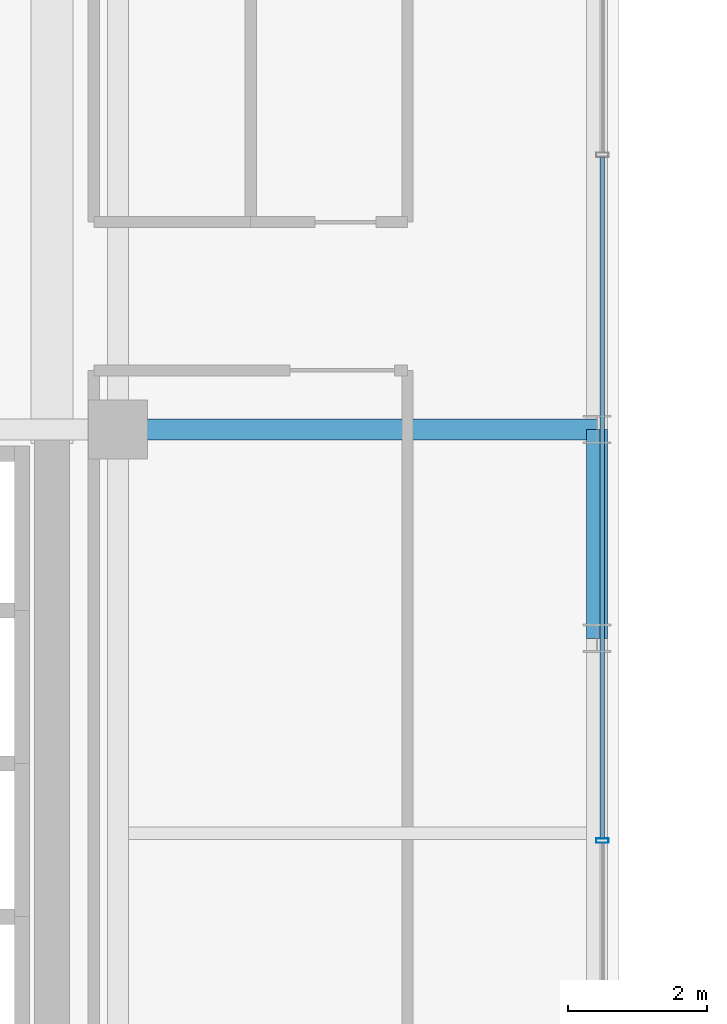
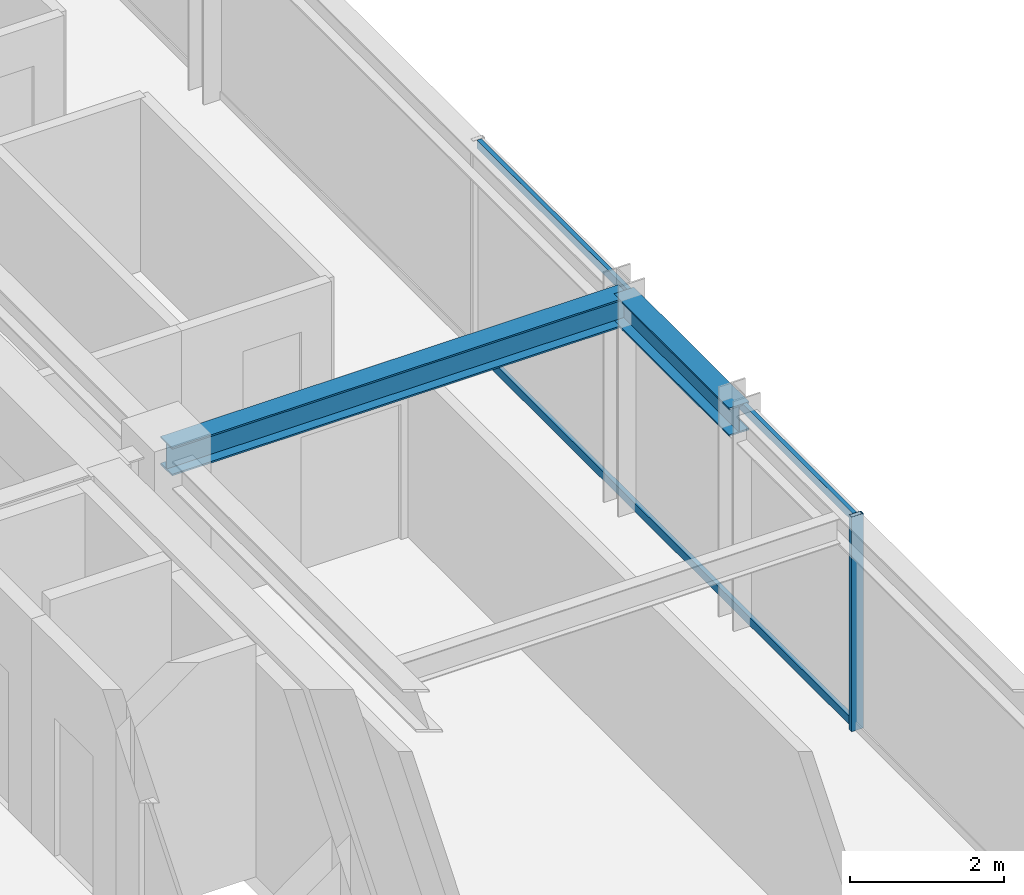
# One storey, part 15 of 34: 3 members, 2 beams, 1 element without a shape of its own.
"""IFC4 building model written with IfcOpenShell, lengths in metres."""

import ifcopenshell
import ifcopenshell.guid

model = None  # the IFC model being written
_history = None  # IfcOwnerHistory: only IFC2X3 demands one
_inside = {}  # id of a spatial element -> (the spatial element, [elements in it])
_under = {}  # id of a project, library or spatial element -> (it, [spatial elements below it])
_declared = {}  # id of a project -> (the project, [libraries it declares])
_typed = {}  # id of a type object -> (the type object, [elements of that type])
_made_of = {}  # id of a material, layer set ... -> (it, [elements and type objects made of it])


def new_model(schema):
    """Start an empty IFC model of exactly this schema.

    Asked for "IFC4X3", IfcOpenShell would pick the latest addendum, in which some entities
    have other attributes; the version numbers below select the first issue.
    IFC2X3 requires an IfcOwnerHistory on every rooted entity: one is made here for all.
    """
    global model, _history
    if schema == "IFC4X3":
        model = ifcopenshell.file(schema_version=(4, 3, 0, 0))
    else:
        model = ifcopenshell.file(schema=schema)
    _inside.clear()
    _under.clear()
    _declared.clear()
    _typed.clear()
    _made_of.clear()
    _history = None
    if model.schema == "IFC2X3":
        org = make("IfcOrganization", Name="unknown")
        user = make(
            "IfcPersonAndOrganization",
            ThePerson=make("IfcPerson", FamilyName="unknown"),
            TheOrganization=org,
        )
        app = make(
            "IfcApplication",
            ApplicationDeveloper=org,
            Version="unknown",
            ApplicationFullName="unknown",
            ApplicationIdentifier="unknown",
        )
        _history = make(
            "IfcOwnerHistory",
            OwningUser=user,
            OwningApplication=app,
            ChangeAction="ADDED",
            CreationDate=0,
        )
    return model


def make(cls, **values):
    """One entity of the class cls with the attributes given. An attribute that is None is left unset."""
    return model.create_entity(
        cls, **{name: value for name, value in values.items() if value is not None}
    )


def rooted(cls, **values):
    """An entity with a GlobalId (a new one), such as an element, a storey or a relation."""
    return make(cls, GlobalId=ifcopenshell.guid.new(), OwnerHistory=_history, **values)


def si_unit(unit_type, name, prefix=None):
    """IfcSIUnit, for example si_unit("LENGTHUNIT", "METRE", prefix="MILLI")."""
    return make("IfcSIUnit", UnitType=unit_type, Prefix=prefix, Name=name)


def assignment(units):
    """IfcUnitAssignment: the units of a project."""
    return None if units is None else make("IfcUnitAssignment", Units=units)


def point(xyz):
    """IfcCartesianPoint."""
    return None if xyz is None else make("IfcCartesianPoint", Coordinates=xyz)


def direction(xyz):
    """IfcDirection."""
    return None if xyz is None else make("IfcDirection", DirectionRatios=xyz)


def frame(location, z_axis=None, x_axis=None):
    """IfcAxis2Placement3D, a coordinate frame: its origin and axes. An axis left out is left unset."""
    return make(
        "IfcAxis2Placement3D",
        Location=point(location),
        Axis=direction(z_axis),
        RefDirection=direction(x_axis),
    )


def frame_2d(location, x_axis=None):
    """IfcAxis2Placement2D, a coordinate frame in the plane: its origin and x axis."""
    return make(
        "IfcAxis2Placement2D", Location=point(location), RefDirection=direction(x_axis)
    )


def origin():
    """The frame at (0, 0, 0) with its axes left unset."""
    return frame((0.0, 0.0, 0.0))


def origin_2d():
    """The frame at (0, 0) in the plane with its x axis left unset."""
    return frame_2d((0.0, 0.0))


def place(relative_to, where):
    """IfcLocalPlacement: puts the frame where relative to a parent placement (None: the world)."""
    return make(
        "IfcLocalPlacement", PlacementRelTo=relative_to, RelativePlacement=where
    )


def context(
    kind, dimensions, precision=None, world=None, true_north=None, identifier=None
):
    """IfcGeometricRepresentationContext, for example the 3D "Model" context."""
    return make(
        "IfcGeometricRepresentationContext",
        ContextIdentifier=identifier,
        ContextType=kind,
        CoordinateSpaceDimension=dimensions,
        Precision=precision,
        WorldCoordinateSystem=world,
        TrueNorth=true_north,
    )


def subcontext(parent, identifier, kind, view, scale=None):
    """IfcGeometricRepresentationSubContext, for example "Body" below "Model"."""
    return make(
        "IfcGeometricRepresentationSubContext",
        ContextIdentifier=identifier,
        ContextType=kind,
        ParentContext=parent,
        TargetScale=scale,
        TargetView=view,
    )


def project(units=None, contexts=None):
    """IfcProject with its units and contexts."""
    return rooted(
        "IfcProject",
        Name="project",
        RepresentationContexts=contexts,
        UnitsInContext=assignment(units),
    )


def spatial(cls, under=None, at=None, **own):
    """A site, building, storey or space (cls), placed at a placement, below another one or the project."""
    s = rooted(cls, ObjectPlacement=at, **own)
    if under is not None:
        _under.setdefault(under.id(), (under, []))[1].append(s)
    return s


def profile(cls, at=None, kind="AREA", **sizes):
    """A parametric profile (cls). Its sizes go by their IFC names, for example OverallWidth=200.0."""
    return make(cls, ProfileType=kind, Position=at, **sizes)


def hollow_rectangle(**sizes):
    """IfcRectangleHollowProfileDef."""
    return profile("IfcRectangleHollowProfileDef", **sizes)


def i_section(**sizes):
    """IfcIShapeProfileDef."""
    return profile("IfcIShapeProfileDef", **sizes)


def extrude(swept, where, along, depth):
    """IfcExtrudedAreaSolid: the profile swept, set in the frame where, extruded along a direction by depth."""
    return make(
        "IfcExtrudedAreaSolid",
        SweptArea=swept,
        Position=where,
        ExtrudedDirection=direction(along),
        Depth=depth,
    )


def shape(context_of_items, identifier, shape_type, items):
    """IfcShapeRepresentation: the items that make up one representation, for example the "Body"."""
    return make(
        "IfcShapeRepresentation",
        ContextOfItems=context_of_items,
        RepresentationIdentifier=identifier,
        RepresentationType=shape_type,
        Items=items,
    )


def source(mapping_origin, context_of_items, identifier, shape_type, items):
    """IfcRepresentationMap: a shape defined once, which mapped items show again and again."""
    return make(
        "IfcRepresentationMap",
        MappingOrigin=mapping_origin,
        MappedRepresentation=shape(context_of_items, identifier, shape_type, items),
    )


def transform(
    local_origin,
    x_axis=None,
    y_axis=None,
    z_axis=None,
    scale=None,
    scale2=None,
    scale3=None,
    uniform=True,
):
    """IfcCartesianTransformationOperator3D, or its non-uniform kind. x_axis, y_axis, z_axis: its Axis1, 2, 3."""
    if uniform:
        return make(
            "IfcCartesianTransformationOperator3D",
            Axis1=direction(x_axis),
            Axis2=direction(y_axis),
            LocalOrigin=point(local_origin),
            Scale=scale,
            Axis3=direction(z_axis),
        )
    return make(
        "IfcCartesianTransformationOperator3DnonUniform",
        Axis1=direction(x_axis),
        Axis2=direction(y_axis),
        LocalOrigin=point(local_origin),
        Scale=scale,
        Axis3=direction(z_axis),
        Scale2=scale2,
        Scale3=scale3,
    )


def mapped(mapping_source, mapping_target):
    """IfcMappedItem: shows the shape of a source again, moved by a transform."""
    return make(
        "IfcMappedItem", MappingSource=mapping_source, MappingTarget=mapping_target
    )


def material(Name=None, Category=None):
    """IfcMaterial."""
    return make("IfcMaterial", Name=Name, Category=Category)


def material_profile(
    of_material, cross_section, Name=None, Category=None, Priority=None
):
    """IfcMaterialProfile: a cross section and its material."""
    return make(
        "IfcMaterialProfile",
        Name=Name,
        Material=of_material,
        Profile=cross_section,
        Priority=Priority,
        Category=Category,
    )


def profile_set(profiles, Name=None, composite=None):
    """IfcMaterialProfileSet."""
    return make(
        "IfcMaterialProfileSet",
        Name=Name,
        MaterialProfiles=profiles,
        CompositeProfile=composite,
    )


def made_of(thing, what):
    """Note that an element or type object is made of a material, layer set ...; save() writes the relation."""
    if what is not None:
        _made_of.setdefault(what.id(), (what, []))[1].append(thing)
    return thing


def type_object(cls, material=None, **own):
    """A type object (cls), such as IfcWallType, which elements share."""
    return made_of(rooted(cls, **own), material)


def element(
    cls,
    number,
    at=None,
    inside=None,
    cuts=None,
    type_object=None,
    material=None,
    context=None,
    identifier="Body",
    shape_type=None,
    held_by="IfcProductDefinitionShape",
    body=None,
    shapes=None,
    **own,
):
    """One element of the class cls, such as IfcWall. Its Tag is "e" and its number.

    at: its placement. inside: the storey or other place that contains it. cuts: it is an
    opening in that element (IfcRelVoidsElement). A single representation is given by context,
    identifier, shape_type and body (its items); several are given by shapes. held_by: the class
    of the entity that holds the representations. save() writes the other relations.
    """
    e = rooted(cls, Tag="e%d" % number, ObjectPlacement=at, **own)
    if body is not None:
        shapes = [shape(context, identifier, shape_type, body)]
    if shapes is not None:
        e.Representation = make(held_by, Representations=shapes)
    if inside is not None:
        _inside.setdefault(inside.id(), (inside, []))[1].append(e)
    if cuts is not None:
        rooted(
            "IfcRelVoidsElement", RelatingBuildingElement=cuts, RelatedOpeningElement=e
        )
    if type_object is not None:
        _typed.setdefault(type_object.id(), (type_object, []))[1].append(e)
    return made_of(e, material)


def aggregate(whole, parts):
    """IfcRelAggregates: a whole, such as a stair, and the parts it consists of."""
    return rooted("IfcRelAggregates", RelatingObject=whole, RelatedObjects=parts)


def save(model, path):
    """Write the relations noted so far, then the file.

    IfcRelAggregates (storeys below a building ...), IfcRelContainedInSpatialStructure (elements
    in a storey), IfcRelDefinesByType, IfcRelAssociatesMaterial and IfcRelDeclares: one each for
    every whole, place, type object, material and project.
    """
    for whole, parts in _under.values():
        aggregate(whole, parts)
    for where, things in _inside.values():
        rooted(
            "IfcRelContainedInSpatialStructure",
            RelatedElements=things,
            RelatingStructure=where,
        )
    for kind, things in _typed.values():
        rooted("IfcRelDefinesByType", RelatedObjects=things, RelatingType=kind)
    for what, things in _made_of.values():
        rooted("IfcRelAssociatesMaterial", RelatedObjects=things, RelatingMaterial=what)
    for by, libraries in _declared.values():
        rooted("IfcRelDeclares", RelatingContext=by, RelatedDefinitions=libraries)
    model.write(path)


model = new_model("IFC4")

# Units and contexts
model_context = context("Model", 3, precision=1e-05, world=origin(), true_north=direction((0.0, 1.0)))
body_context = subcontext(model_context, "Body", "Model", "MODEL_VIEW")
ifc_project = project(units=[si_unit("LENGTHUNIT", "METRE"), si_unit("AREAUNIT", "SQUARE_METRE"), si_unit("VOLUMEUNIT", "CUBIC_METRE"), si_unit("PLANEANGLEUNIT", "RADIAN"), si_unit("MASSUNIT", "GRAM", prefix="KILO")], contexts=[model_context])

# Site, building, storey
site_placement = place(None, origin())
site = spatial("IfcSite", under=ifc_project, at=site_placement, CompositionType="ELEMENT")
building_placement = place(site_placement, origin())
building = spatial("IfcBuilding", under=site, at=building_placement, Name="Nahalor Promenade Grand Hotel", CompositionType="ELEMENT")
storey_placement = place(building_placement, frame((0.0, 0.0, 238.199951171875)))
storey = spatial("IfcBuildingStorey", under=building, at=storey_placement, Name="L61", CompositionType="ELEMENT", Elevation=238.199951171875)

# Beams
ifc_material_1 = material(Name="Steel S355JR", Category="steel")
ifc_material_profile_1 = material_profile(ifc_material_1, i_section(OverallWidth=0.3, OverallDepth=0.45, WebThickness=0.014, FlangeThickness=0.026, at=origin_2d()), Name="HEB 450")
ifc_profile_set_1 = profile_set([ifc_material_profile_1], Name="Steel S355JR")
beam_type_1 = type_object("IfcBeamType", Name="Beam-Spandrel-HEB450", PredefinedType="SPANDREL", material=ifc_profile_set_1)
shared_shape_1 = source(origin(), body_context, "Body", "SweptSolid", [
    extrude(i_section(OverallWidth=0.3, OverallDepth=0.45, WebThickness=0.014, FlangeThickness=0.026, at=origin_2d()), origin(), (0.0, 0.0, 1.0), 3.0),
])
beam_1_placement = place(storey_placement, frame((23.8798828125, -8.39990234375, 3.18505859375), z_axis=(0.0, 1.0, 0.0), x_axis=(-1.0, 0.0, 0.0)))
element("IfcBeam", 1, at=beam_1_placement, inside=storey, type_object=beam_type_1, Name="BM-L61-SP-E-1", PredefinedType="SPANDREL", context=body_context, shape_type="MappedRepresentation", body=[
    mapped(shared_shape_1, transform((0.0, 0.0, 0.0), scale=1.0)),
])
ifc_material_profile_2 = material_profile(ifc_material_1, i_section(OverallWidth=0.3, OverallDepth=0.45, WebThickness=0.014, FlangeThickness=0.026, at=origin_2d()), Name="HEB 450")
ifc_profile_set_2 = profile_set([ifc_material_profile_2], Name="Steel S355JR")
beam_type_2 = type_object("IfcBeamType", Name="Beam-Girder-HEB450", PredefinedType="BEAM", material=ifc_profile_set_2)
shared_shape_2 = source(origin(), body_context, "Body", "SweptSolid", [
    extrude(i_section(OverallWidth=0.3, OverallDepth=0.45, WebThickness=0.014, FlangeThickness=0.026, at=origin_2d()), origin(), (0.0, 0.0, 1.0), 6.8798828125),
])
beam_2_placement = place(storey_placement, frame((17.0, -5.39990234375, 3.18505859375), z_axis=(1.0, 0.0, 0.0), x_axis=(0.0, 1.0, 0.0)))
element("IfcBeam", 2, at=beam_2_placement, inside=storey, type_object=beam_type_2, Name="BM-L61-GX-1-6", PredefinedType="BEAM", context=body_context, shape_type="MappedRepresentation", body=[
    mapped(shared_shape_2, transform((0.0, 0.0, 0.0), scale=1.0)),
])

# Curtain wall, members
ifc_material_2 = material(Name="Anodised Bronze Aluminium EN AW-6063 T6", Category="aluminium")
curtain_wall_type = type_object("IfcCurtainWallType", Name="CW2 Typical Hotel Flush Bronze Unitised Curtain Wall", PredefinedType="USERDEFINED", material=ifc_material_2)
curtain_wall_placement = place(storey_placement, origin())
curtain_wall = element("IfcCurtainWall", 3, at=curtain_wall_placement, inside=storey, type_object=curtain_wall_type, Name="L61 Curtain Wall CW-L61-E-1", ObjectType="UNITISED_CURTAIN_WALL", PredefinedType="USERDEFINED")
ifc_material_profile_3 = material_profile(ifc_material_2, hollow_rectangle(XDim=0.065, YDim=0.18, WallThickness=0.004, at=origin_2d()), Name="CWM 65x180x4")
ifc_profile_set_3 = profile_set([ifc_material_profile_3], Name="Anodised Bronze Aluminium EN AW-6063 T6")
member_type_1 = type_object("IfcMemberType", Name="CWM2 Typical Bronze Mullion 65x180", PredefinedType="MULLION", material=ifc_profile_set_3)
shared_shape_3 = source(origin(), body_context, "Body", "SweptSolid", [
    extrude(hollow_rectangle(XDim=0.065, YDim=0.18, WallThickness=0.004, at=origin_2d()), origin(), (0.0, 0.0, 1.0), 3.41015625),
])
member_1_placement = place(storey_placement, frame((23.9599609375, -11.306640625, 0.0), z_axis=(0.0, 0.0, 1.0), x_axis=(0.0, 1.0, 0.0)))
member_1 = element("IfcMember", 4, at=member_1_placement, type_object=member_type_1, Name="CW-L61-E-1 Mullion 1", PredefinedType="MULLION", context=body_context, shape_type="MappedRepresentation", body=[
    mapped(shared_shape_3, transform((0.0, 0.0, 0.0), scale=1.0)),
])
ifc_material_profile_4 = material_profile(ifc_material_2, hollow_rectangle(XDim=0.065, YDim=0.13, WallThickness=0.004, at=origin_2d()), Name="CWT 65x130x4")
ifc_profile_set_4 = profile_set([ifc_material_profile_4], Name="Anodised Bronze Aluminium EN AW-6063 T6")
member_type_2 = type_object("IfcMemberType", Name="CWT2 Typical Bronze Transom 65x130", PredefinedType="USERDEFINED", material=ifc_profile_set_4)
shared_shape_4 = source(origin(), body_context, "Body", "SweptSolid", [
    extrude(hollow_rectangle(XDim=0.065, YDim=0.13, WallThickness=0.004, at=origin_2d()), origin(), (0.0, 0.0, 1.0), 9.788330078125),
])
member_2_placement = place(storey_placement, frame((23.9599609375, -11.274169921875, 0.06494140625), z_axis=(0.0, 1.0, 0.0), x_axis=(-1.0, 0.0, 0.0)))
member_2 = element("IfcMember", 5, at=member_2_placement, type_object=member_type_2, Name="CW-L61-E-1 Transom 1-0", ObjectType="TRANSOM", PredefinedType="USERDEFINED", context=body_context, shape_type="MappedRepresentation", body=[
    mapped(shared_shape_4, transform((0.0, 0.0, 0.0), scale=1.0)),
])
member_3_placement = place(storey_placement, frame((23.9599609375, -11.274169921875, 3.344970703125), z_axis=(0.0, 1.0, 0.0), x_axis=(-1.0, 0.0, 0.0)))
member_3 = element("IfcMember", 6, at=member_3_placement, type_object=member_type_2, Name="CW-L61-E-1 Transom 1-1", ObjectType="TRANSOM", PredefinedType="USERDEFINED", context=body_context, shape_type="MappedRepresentation", body=[
    mapped(shared_shape_4, transform((0.0, 0.0, 0.0), scale=1.0)),
])
aggregate(curtain_wall, [member_1, member_2, member_3])

save(model, "model.ifc")
